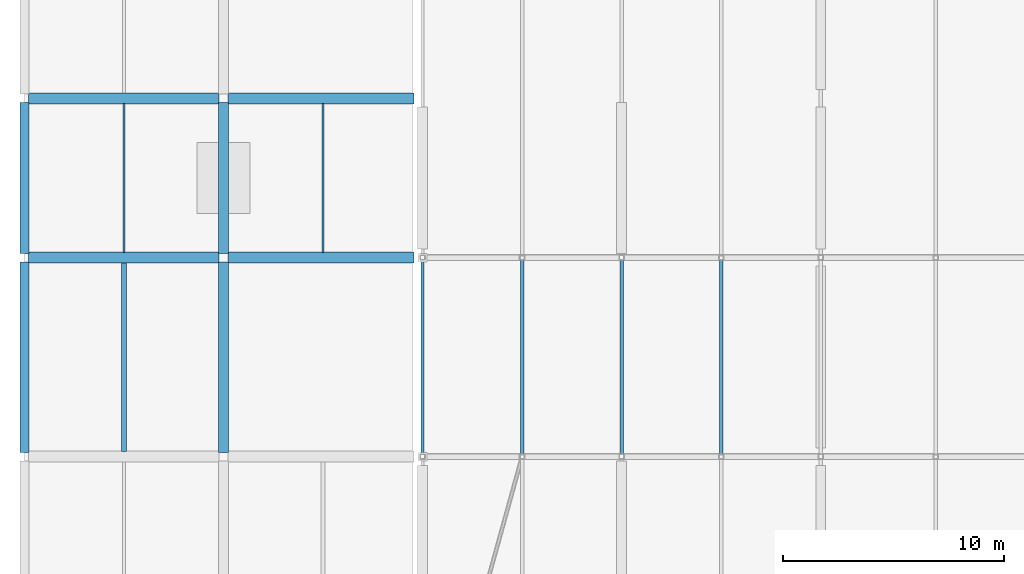
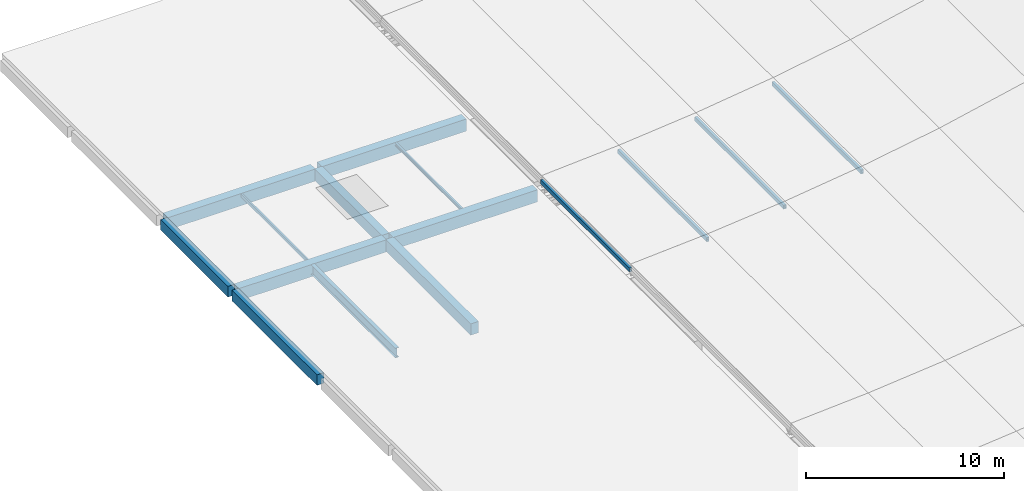
# One storey, part 10 of 24: 11 beams, 4 members.
"""IFC4 building model written with IfcOpenShell, lengths in metres."""

from ifc_helpers import new_model, si_unit, direction, frame, origin, origin_2d, place, context, subcontext, project, spatial, rectangle, hollow_rectangle, i_section, extrude, material, material_profile, profile_set, type_object, element, save


model = new_model("IFC4")

# Units and contexts
model_context = context("Model", 3, precision=1e-05, world=origin(), true_north=direction((0.0, 1.0)))
body_context = subcontext(model_context, "Body", "Model", "MODEL_VIEW")
ifc_project = project(units=[si_unit("LENGTHUNIT", "METRE"), si_unit("AREAUNIT", "SQUARE_METRE"), si_unit("VOLUMEUNIT", "CUBIC_METRE"), si_unit("PLANEANGLEUNIT", "RADIAN"), si_unit("MASSUNIT", "GRAM", prefix="KILO"), si_unit("THERMODYNAMICTEMPERATUREUNIT", "KELVIN"), si_unit("POWERUNIT", "WATT")], contexts=[model_context])

# Site, building, storey
site_placement = place(None, origin())
site = spatial("IfcSite", under=ifc_project, at=site_placement, CompositionType="ELEMENT")
building_placement = place(site_placement, origin())
building = spatial("IfcBuilding", under=site, at=building_placement, Name="Sindhuravela Promenade Stadium", CompositionType="ELEMENT")
storey_placement = place(building_placement, frame((0.0, 0.0, 28.800048828125)))
storey = spatial("IfcBuildingStorey", under=building, at=storey_placement, Name="RF", CompositionType="ELEMENT", Elevation=28.800048828125)

# Beams
ifc_material_1 = material(Name="Concrete M40", Category="concrete")
ifc_material_profile_1 = material_profile(ifc_material_1, rectangle(XDim=0.39990234375, YDim=0.64990234375, at=origin_2d()), Name="RC 400x650")
ifc_profile_set_1 = profile_set([ifc_material_profile_1], Name="Concrete M40")
beam_type_1 = type_object("IfcBeamType", Name="RC-BM-400x650", PredefinedType="SPANDREL", material=ifc_profile_set_1)
beam_1_placement = place(storey_placement, frame((0.0, 84.793212890625, -0.56494140625), z_axis=(0.0, 1.0, 0.0), x_axis=(-1.0, 0.0, 0.0)))
element("IfcBeam", 1, at=beam_1_placement, inside=storey, type_object=beam_type_1, Name="Primary beam SP01 WEST RF", PredefinedType="SPANDREL", context=body_context, shape_type="SweptSolid", body=[
    extrude(rectangle(XDim=0.39990234375, YDim=0.64990234375, at=origin_2d()), origin(), (0.0, 0.0, 1.0), 8.613525390625),
])
beam_2_placement = place(storey_placement, frame((0.0, 93.793212890625, -0.56494140625), z_axis=(0.0, 1.0, 0.0), x_axis=(-1.0, 0.0, 0.0)))
element("IfcBeam", 2, at=beam_2_placement, inside=storey, type_object=beam_type_1, Name="Primary beam SP01 WEST RF", PredefinedType="SPANDREL", context=body_context, shape_type="SweptSolid", body=[
    extrude(rectangle(XDim=0.39990234375, YDim=0.64990234375, at=origin_2d()), origin(), (0.0, 0.0, 1.0), 6.8134765625),
])
ifc_material_profile_2 = material_profile(ifc_material_1, rectangle(XDim=0.449951171875, YDim=0.699951171875, at=origin_2d()), Name="RC 450x700")
ifc_profile_set_2 = profile_set([ifc_material_profile_2], Name="Concrete M40")
beam_type_2 = type_object("IfcBeamType", Name="RC-BM-450x700", PredefinedType="BEAM", material=ifc_profile_set_2)
beam_3_placement = place(storey_placement, frame((9.0, 84.793212890625, -0.590087890625), z_axis=(0.0, 1.0, 0.0), x_axis=(-1.0, 0.0, 0.0)))
element("IfcBeam", 3, at=beam_3_placement, inside=storey, type_object=beam_type_2, Name="Primary beam GB07 WEST RF", PredefinedType="BEAM", context=body_context, shape_type="SweptSolid", body=[
    extrude(rectangle(XDim=0.449951171875, YDim=0.699951171875, at=origin_2d()), origin(), (0.0, 0.0, 1.0), 8.613525390625),
])
beam_4_placement = place(storey_placement, frame((9.0, 93.793212890625, -0.590087890625), z_axis=(0.0, 1.0, 0.0), x_axis=(-1.0, 0.0, 0.0)))
element("IfcBeam", 4, at=beam_4_placement, inside=storey, type_object=beam_type_2, Name="Primary beam GB07 WEST RF", PredefinedType="BEAM", context=body_context, shape_type="SweptSolid", body=[
    extrude(rectangle(XDim=0.449951171875, YDim=0.699951171875, at=origin_2d()), origin(), (0.0, 0.0, 1.0), 6.8134765625),
])
ifc_material_profile_3 = material_profile(ifc_material_1, rectangle(XDim=0.5, YDim=0.75, at=origin_2d()), Name="RC 500x750")
ifc_profile_set_3 = profile_set([ifc_material_profile_3], Name="Concrete M40")
beam_type_3 = type_object("IfcBeamType", Name="RC-BM-500x750", PredefinedType="BEAM", material=ifc_profile_set_3)
beam_5_placement = place(storey_placement, frame((0.193115234375, 93.60009765625, -0.614990234375), z_axis=(1.0, 0.0, 0.0), x_axis=(0.0, 1.0, 0.0)))
element("IfcBeam", 5, at=beam_5_placement, inside=storey, type_object=beam_type_3, Name="Primary girder GB06 WEST RF", PredefinedType="BEAM", context=body_context, shape_type="SweptSolid", body=[
    extrude(rectangle(XDim=0.5, YDim=0.75, at=origin_2d()), origin(), (0.0, 0.0, 1.0), 8.61376953125),
])
beam_6_placement = place(storey_placement, frame((9.193115234375, 93.60009765625, -0.614990234375), z_axis=(1.0, 0.0, 0.0), x_axis=(0.0, 1.0, 0.0)))
element("IfcBeam", 6, at=beam_6_placement, inside=storey, type_object=beam_type_3, Name="Primary girder GB06 WEST RF", PredefinedType="BEAM", context=body_context, shape_type="SweptSolid", body=[
    extrude(rectangle(XDim=0.5, YDim=0.75, at=origin_2d()), origin(), (0.0, 0.0, 1.0), 8.4169921875),
])
beam_7_placement = place(storey_placement, frame((0.193115234375, 100.800048828125, -0.614990234375), z_axis=(1.0, 0.0, 0.0), x_axis=(0.0, 1.0, 0.0)))
element("IfcBeam", 7, at=beam_7_placement, inside=storey, type_object=beam_type_3, Name="Primary girder GB06 WEST RF", PredefinedType="BEAM", context=body_context, shape_type="SweptSolid", body=[
    extrude(rectangle(XDim=0.5, YDim=0.75, at=origin_2d()), origin(), (0.0, 0.0, 1.0), 8.61376953125),
])
beam_8_placement = place(storey_placement, frame((9.193115234375, 100.800048828125, -0.614990234375), z_axis=(1.0, 0.0, 0.0), x_axis=(0.0, 1.0, 0.0)))
element("IfcBeam", 8, at=beam_8_placement, inside=storey, type_object=beam_type_3, Name="Primary girder GB06 WEST RF", PredefinedType="BEAM", context=body_context, shape_type="SweptSolid", body=[
    extrude(rectangle(XDim=0.5, YDim=0.75, at=origin_2d()), origin(), (0.0, 0.0, 1.0), 8.4169921875),
])
ifc_material_2 = material(Name="Steel E350 (IS 2062 E350BR)", Category="steel")
ifc_material_profile_4 = material_profile(ifc_material_2, hollow_rectangle(XDim=0.10009765625, YDim=0.199951171875, WallThickness=0.008056640625, at=origin_2d()), Name="RHS 200x100x8")
ifc_profile_set_4 = profile_set([ifc_material_profile_4], Name="Steel E350 (IS 2062 E350BR)")
beam_type_4 = type_object("IfcBeamType", Name="ST-BM-LNT200", PredefinedType="LINTEL", material=ifc_profile_set_4)
beam_9_placement = place(storey_placement, frame((4.5, 93.840087890625, -0.340087890625), z_axis=(0.0, 1.0, 0.0), x_axis=(-1.0, 0.0, 0.0)))
element("IfcBeam", 9, at=beam_9_placement, inside=storey, type_object=beam_type_4, Name="Secondary floor joist LN01 WEST RF", PredefinedType="LINTEL", context=body_context, shape_type="SweptSolid", body=[
    extrude(hollow_rectangle(XDim=0.10009765625, YDim=0.199951171875, WallThickness=0.008056640625, at=origin_2d()), origin(), (0.0, 0.0, 1.0), 6.719970703125),
])
ifc_material_profile_5 = material_profile(ifc_material_2, i_section(OverallWidth=0.10009765625, OverallDepth=0.199951171875, WebThickness=0.005615234375, FlangeThickness=0.0107421875, FilletRadius=0.010986328125, at=origin_2d()), Name="ISMB 200")
ifc_profile_set_5 = profile_set([ifc_material_profile_5], Name="Steel E350 (IS 2062 E350BR)")
beam_type_5 = type_object("IfcBeamType", Name="ST-BM-MB200", PredefinedType="JOIST", material=ifc_profile_set_5)
beam_10_placement = place(storey_placement, frame((13.5, 93.840087890625, -0.340087890625), z_axis=(0.0, 1.0, 0.0), x_axis=(-1.0, 0.0, 0.0)))
element("IfcBeam", 10, at=beam_10_placement, inside=storey, type_object=beam_type_5, Name="Secondary floor joist SB01 WEST RF", PredefinedType="JOIST", context=body_context, shape_type="SweptSolid", body=[
    extrude(i_section(OverallWidth=0.10009765625, OverallDepth=0.199951171875, WebThickness=0.005615234375, FlangeThickness=0.0107421875, FilletRadius=0.010986328125, at=origin_2d()), origin(), (0.0, 0.0, 1.0), 6.719970703125),
])
ifc_material_profile_6 = material_profile(ifc_material_2, i_section(OverallWidth=0.2099609375, OverallDepth=0.60009765625, WebThickness=0.011962890625, FlangeThickness=0.020751953125, FilletRadius=0.02001953125, at=origin_2d()), Name="ISMB 600")
ifc_profile_set_6 = profile_set([ifc_material_profile_6], Name="Steel E350 (IS 2062 E350BR)")
beam_type_6 = type_object("IfcBeamType", Name="ST-BM-MB600", PredefinedType="BEAM", material=ifc_profile_set_6)
beam_11_placement = place(storey_placement, frame((4.5, 84.840087890625, -0.5400390625), z_axis=(0.0, 1.0, 0.0), x_axis=(-1.0, 0.0, 0.0)))
element("IfcBeam", 11, at=beam_11_placement, inside=storey, type_object=beam_type_6, Name="Secondary floor joist SB09 WEST RF", PredefinedType="BEAM", context=body_context, shape_type="SweptSolid", body=[
    extrude(i_section(OverallWidth=0.2099609375, OverallDepth=0.60009765625, WebThickness=0.011962890625, FlangeThickness=0.020751953125, FilletRadius=0.02001953125, at=origin_2d()), origin(), (0.0, 0.0, 1.0), 8.52001953125),
])

# Members
ifc_material_profile_7 = material_profile(ifc_material_2, hollow_rectangle(XDim=0.14990234375, YDim=0.25, WallThickness=0.010009765625, at=origin_2d()), Name="RHS 250x150x10")
ifc_profile_set_7 = profile_set([ifc_material_profile_7], Name="Steel E350 (IS 2062 E350BR)")
member_type = type_object("IfcMemberType", Name="ST-MB-RHS250", PredefinedType="PURLIN", material=ifc_profile_set_7)
for number, where, z_axis, x_axis, name in (
    (12, (18.0, 84.60009765625, -0.008056640625), (0.0, 1.0, 0.0), (-1.0, 0.0, 0.0), "Roof purlin PR01 W bay 5.1"),
    (13, (22.5, 84.60009765625, 0.28515625), (0.0, 1.0, 0.0), (-1.0, 0.0, 0.0), "Roof purlin PR01 W bay 5.2"),
    (14, (27.0, 84.60009765625, 0.720703125), (0.0, 1.0, 0.0), (-1.0, 0.0, 0.0), "Roof purlin PR01 W bay 5.3"),
    (15, (31.5, 84.60009765625, 1.31005859375), (0.0, 1.0, 0.0), (-1.0, 0.0, 0.0), "Roof purlin PR01 W bay 5.4"),
):
    element("IfcMember", number, at=place(storey_placement, frame(where, z_axis=z_axis, x_axis=x_axis)), inside=storey, type_object=member_type, Name=name, PredefinedType="PURLIN", context=body_context, shape_type="SweptSolid", body=[
        extrude(hollow_rectangle(XDim=0.14990234375, YDim=0.25, WallThickness=0.010009765625, at=origin_2d()), origin(), (0.0, 0.0, 1.0), 9.0),
    ])

save(model, "model.ifc")
